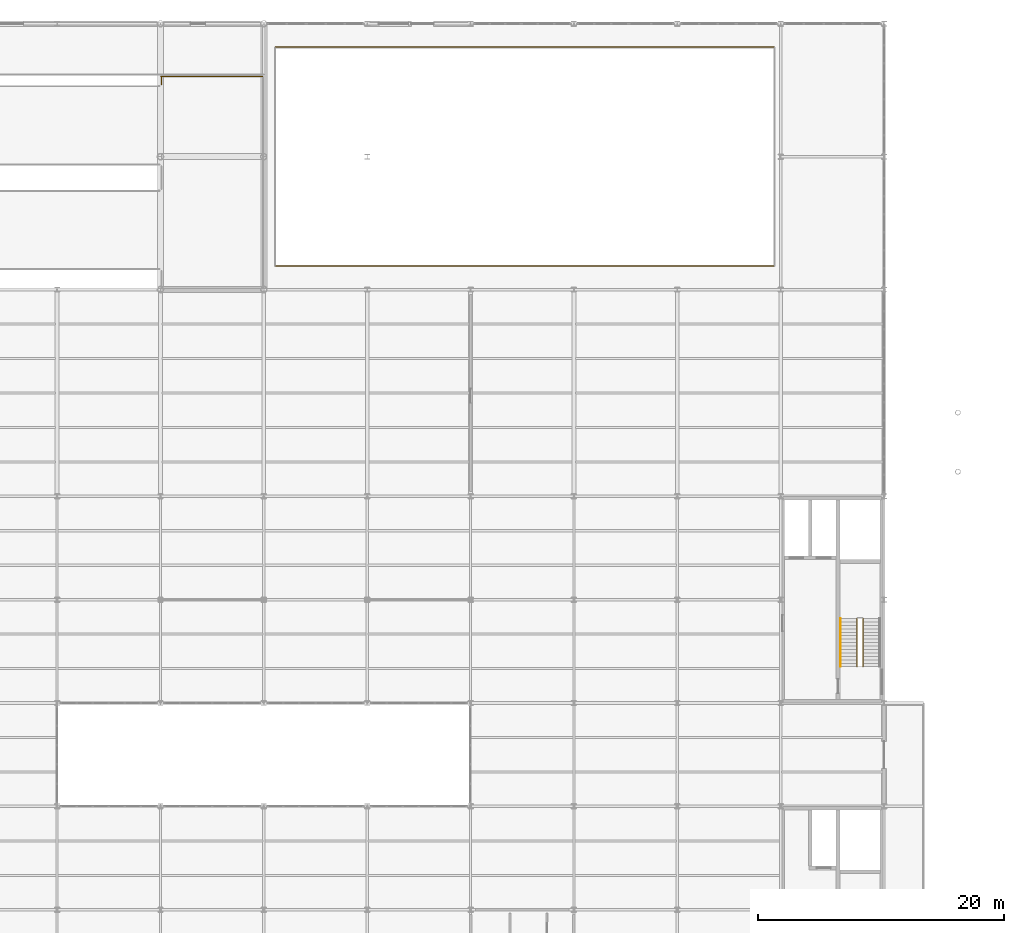
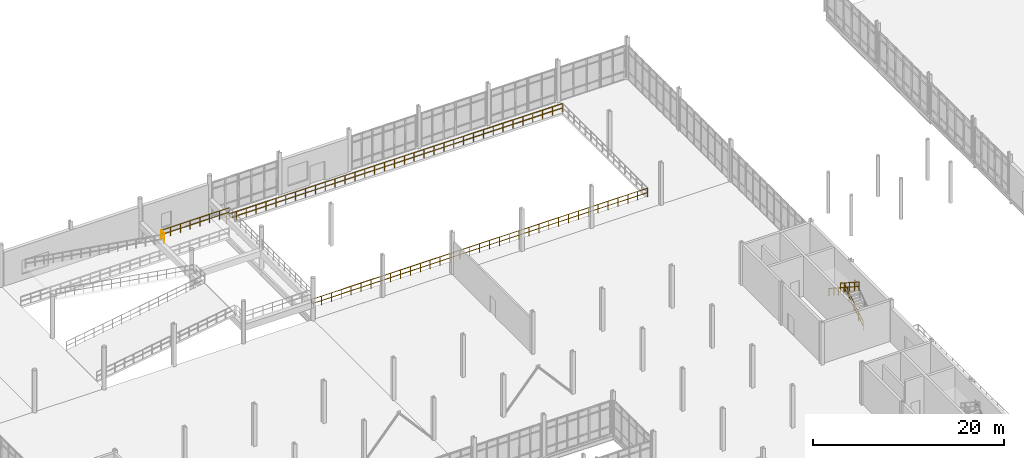
# One storey, part 109 of 111: 7 railings.
"""IFC4 building model written with IfcOpenShell, lengths in metres."""

from ifc_helpers import new_model, si_unit, direction, frame, origin, origin_2d, place, context, subcontext, project, spatial, circle, extrude, material, type_object, element, save


model = new_model("IFC4")

# Units and contexts
model_context = context("Model", 3, precision=1e-05, world=origin(), true_north=direction((0.0, 1.0)))
body_context = subcontext(model_context, "Body", "Model", "MODEL_VIEW")
ifc_project = project(units=[si_unit("LENGTHUNIT", "METRE"), si_unit("AREAUNIT", "SQUARE_METRE"), si_unit("VOLUMEUNIT", "CUBIC_METRE"), si_unit("PLANEANGLEUNIT", "RADIAN"), si_unit("MASSUNIT", "GRAM", prefix="KILO"), si_unit("THERMODYNAMICTEMPERATUREUNIT", "KELVIN"), si_unit("POWERUNIT", "WATT")], contexts=[model_context])

# Site, building, storey
site_placement = place(None, origin())
site = spatial("IfcSite", under=ifc_project, at=site_placement, CompositionType="ELEMENT")
building_placement = place(site_placement, origin())
building = spatial("IfcBuilding", under=site, at=building_placement, Name="Tembeka Court Mobility Hub", CompositionType="ELEMENT")
storey_placement = place(building_placement, origin())
storey = spatial("IfcBuildingStorey", under=building, at=storey_placement, Name="L00", CompositionType="ELEMENT", Elevation=0.0)

# Railings
ifc_material_1 = material(Name="Painted galvanised steel balustrade", Category="steel")
railing_type_1 = type_object("IfcRailingType", Name="RL-GR01", PredefinedType="GUARDRAIL", material=ifc_material_1)
railing_1_placement = place(storey_placement, frame((90.699951171875, 66.550048828125, 0.179931640625)))
element("IfcRailing", 1, at=railing_1_placement, inside=storey, type_object=railing_type_1, Name="L00 ST02 stair guard 1-1", PredefinedType="GUARDRAIL", context=body_context, shape_type="SweptSolid", body=[
    extrude(circle(Radius=0.02392578125, at=origin_2d()), frame((0.0, 0.0, 1.09619140625), z_axis=(0.0, 0.841171666519, 0.540768182723), x_axis=(-1.0, 0.0, 0.0)), (0.0, 0.0, 1.0), 4.66015625),
    extrude(circle(Radius=0.02392578125, at=origin_2d()), frame((0.0, 0.0, 0.5361328125), z_axis=(0.0, 0.841171666519, 0.540768182723), x_axis=(-1.0, 0.0, 0.0)), (0.0, 0.0, 1.0), 4.66015625),
    extrude(circle(Radius=0.02099609375, at=origin_2d()), origin(), (0.0, 0.0, 1.0), 1.072021484375),
    extrude(circle(Radius=0.02099609375, at=origin_2d()), frame((0.0, 0.97998046875, 0.6298828125)), (0.0, 0.0, 1.0), 1.072021484375),
    extrude(circle(Radius=0.02099609375, at=origin_2d()), frame((0.0, 1.9599609375, 1.260009765625)), (0.0, 0.0, 1.0), 1.072021484375),
    extrude(circle(Radius=0.02099609375, at=origin_2d()), frame((0.0, 2.93994140625, 1.89013671875)), (0.0, 0.0, 1.0), 1.072021484375),
    extrude(circle(Radius=0.02099609375, at=origin_2d()), frame((0.0, 3.919921875, 2.52001953125)), (0.0, 0.0, 1.0), 1.072021484375),
])
railing_2_placement = place(storey_placement, frame((90.199951171875, 70.469970703125, 2.8798828125)))
element("IfcRailing", 2, at=railing_2_placement, inside=storey, type_object=railing_type_1, Name="L00 ST02 stair guard 3-1", PredefinedType="GUARDRAIL", context=body_context, shape_type="SweptSolid", body=[
    extrude(circle(Radius=0.02392578125, at=origin_2d()), frame((0.0, 0.0, 1.09619140625), z_axis=(0.0, -0.841171666519, 0.540768182723), x_axis=(1.0, 0.0, 0.0)), (0.0, 0.0, 1.0), 4.66015625),
    extrude(circle(Radius=0.02392578125, at=origin_2d()), frame((0.0, 0.0, 0.5361328125), z_axis=(0.0, -0.841171666519, 0.540768182723), x_axis=(1.0, 0.0, 0.0)), (0.0, 0.0, 1.0), 4.66015625),
    extrude(circle(Radius=0.02099609375, at=origin_2d()), origin(), (0.0, 0.0, 1.0), 1.072021484375),
    extrude(circle(Radius=0.02099609375, at=origin_2d()), frame((0.0, -0.97998046875, 0.6298828125)), (0.0, 0.0, 1.0), 1.072021484375),
    extrude(circle(Radius=0.02099609375, at=origin_2d()), frame((0.0, -1.9599609375, 1.260009765625)), (0.0, 0.0, 1.0), 1.072021484375),
    extrude(circle(Radius=0.02099609375, at=origin_2d()), frame((0.0, -2.93994140625, 1.89013671875)), (0.0, 0.0, 1.0), 1.072021484375),
    extrude(circle(Radius=0.02099609375, at=origin_2d()), frame((0.0, -3.919921875, 2.52001953125)), (0.0, 0.0, 1.0), 1.072021484375),
])
railing_type_2 = type_object("IfcRailingType", Name="RL-GR02", PredefinedType="GUARDRAIL", material=ifc_material_1)
railing_3_placement = place(storey_placement, frame((42.929931640625, 99.10009765625, 0.0)))
element("IfcRailing", 3, at=railing_3_placement, inside=storey, type_object=railing_type_2, Name="Perimeter guard GR02-0013", PredefinedType="GUARDRAIL", context=body_context, shape_type="SweptSolid", body=[
    extrude(circle(Radius=0.02392578125, at=origin_2d()), frame((0.0, 0.0, 1.09619140625), z_axis=(1.0, 0.0, 0.0), x_axis=(0.0, 1.0, 0.0)), (0.0, 0.0, 1.0), 40.5400390625),
    extrude(circle(Radius=0.02392578125, at=origin_2d()), frame((0.0, 0.0, 0.5361328125), z_axis=(1.0, 0.0, 0.0), x_axis=(0.0, 1.0, 0.0)), (0.0, 0.0, 1.0), 40.5400390625),
    extrude(circle(Radius=0.02099609375, at=origin_2d()), origin(), (0.0, 0.0, 1.0), 1.072021484375),
    extrude(circle(Radius=0.02099609375, at=origin_2d()), frame((1.1923828125, 0.0, 0.0)), (0.0, 0.0, 1.0), 1.072021484375),
    extrude(circle(Radius=0.02099609375, at=origin_2d()), frame((2.384765625, 0.0, 0.0)), (0.0, 0.0, 1.0), 1.072021484375),
    extrude(circle(Radius=0.02099609375, at=origin_2d()), frame((3.5771484375, 0.0, 0.0)), (0.0, 0.0, 1.0), 1.072021484375),
    extrude(circle(Radius=0.02099609375, at=origin_2d()), frame((4.76953125, 0.0, 0.0)), (0.0, 0.0, 1.0), 1.072021484375),
    extrude(circle(Radius=0.02099609375, at=origin_2d()), frame((5.961669921875, 0.0, 0.0)), (0.0, 0.0, 1.0), 1.072021484375),
    extrude(circle(Radius=0.02099609375, at=origin_2d()), frame((7.154052734375, 0.0, 0.0)), (0.0, 0.0, 1.0), 1.072021484375),
    extrude(circle(Radius=0.02099609375, at=origin_2d()), frame((8.346435546875, 0.0, 0.0)), (0.0, 0.0, 1.0), 1.072021484375),
    extrude(circle(Radius=0.02099609375, at=origin_2d()), frame((9.538818359375, 0.0, 0.0)), (0.0, 0.0, 1.0), 1.072021484375),
    extrude(circle(Radius=0.02099609375, at=origin_2d()), frame((10.731201171875, 0.0, 0.0)), (0.0, 0.0, 1.0), 1.072021484375),
    extrude(circle(Radius=0.02099609375, at=origin_2d()), frame((11.923583984375, 0.0, 0.0)), (0.0, 0.0, 1.0), 1.072021484375),
    extrude(circle(Radius=0.02099609375, at=origin_2d()), frame((13.115966796875, 0.0, 0.0)), (0.0, 0.0, 1.0), 1.072021484375),
    extrude(circle(Radius=0.02099609375, at=origin_2d()), frame((14.308349609375, 0.0, 0.0)), (0.0, 0.0, 1.0), 1.072021484375),
    extrude(circle(Radius=0.02099609375, at=origin_2d()), frame((15.50048828125, 0.0, 0.0)), (0.0, 0.0, 1.0), 1.072021484375),
    extrude(circle(Radius=0.02099609375, at=origin_2d()), frame((16.69287109375, 0.0, 0.0)), (0.0, 0.0, 1.0), 1.072021484375),
    extrude(circle(Radius=0.02099609375, at=origin_2d()), frame((17.88525390625, 0.0, 0.0)), (0.0, 0.0, 1.0), 1.072021484375),
    extrude(circle(Radius=0.02099609375, at=origin_2d()), frame((19.07763671875, 0.0, 0.0)), (0.0, 0.0, 1.0), 1.072021484375),
    extrude(circle(Radius=0.02099609375, at=origin_2d()), frame((20.27001953125, 0.0, 0.0)), (0.0, 0.0, 1.0), 1.072021484375),
    extrude(circle(Radius=0.02099609375, at=origin_2d()), frame((21.46240234375, 0.0, 0.0)), (0.0, 0.0, 1.0), 1.072021484375),
    extrude(circle(Radius=0.02099609375, at=origin_2d()), frame((22.65478515625, 0.0, 0.0)), (0.0, 0.0, 1.0), 1.072021484375),
    extrude(circle(Radius=0.02099609375, at=origin_2d()), frame((23.84716796875, 0.0, 0.0)), (0.0, 0.0, 1.0), 1.072021484375),
    extrude(circle(Radius=0.02099609375, at=origin_2d()), frame((25.03955078125, 0.0, 0.0)), (0.0, 0.0, 1.0), 1.072021484375),
    extrude(circle(Radius=0.02099609375, at=origin_2d()), frame((26.231689453125, 0.0, 0.0)), (0.0, 0.0, 1.0), 1.072021484375),
    extrude(circle(Radius=0.02099609375, at=origin_2d()), frame((27.424072265625, 0.0, 0.0)), (0.0, 0.0, 1.0), 1.072021484375),
    extrude(circle(Radius=0.02099609375, at=origin_2d()), frame((28.616455078125, 0.0, 0.0)), (0.0, 0.0, 1.0), 1.072021484375),
    extrude(circle(Radius=0.02099609375, at=origin_2d()), frame((29.808837890625, 0.0, 0.0)), (0.0, 0.0, 1.0), 1.072021484375),
    extrude(circle(Radius=0.02099609375, at=origin_2d()), frame((31.001220703125, 0.0, 0.0)), (0.0, 0.0, 1.0), 1.072021484375),
    extrude(circle(Radius=0.02099609375, at=origin_2d()), frame((32.193603515625, 0.0, 0.0)), (0.0, 0.0, 1.0), 1.072021484375),
    extrude(circle(Radius=0.02099609375, at=origin_2d()), frame((33.385986328125, 0.0, 0.0)), (0.0, 0.0, 1.0), 1.072021484375),
    extrude(circle(Radius=0.02099609375, at=origin_2d()), frame((34.578369140625, 0.0, 0.0)), (0.0, 0.0, 1.0), 1.072021484375),
    extrude(circle(Radius=0.02099609375, at=origin_2d()), frame((35.7705078125, 0.0, 0.0)), (0.0, 0.0, 1.0), 1.072021484375),
    extrude(circle(Radius=0.02099609375, at=origin_2d()), frame((36.962890625, 0.0, 0.0)), (0.0, 0.0, 1.0), 1.072021484375),
    extrude(circle(Radius=0.02099609375, at=origin_2d()), frame((38.1552734375, 0.0, 0.0)), (0.0, 0.0, 1.0), 1.072021484375),
    extrude(circle(Radius=0.02099609375, at=origin_2d()), frame((39.34765625, 0.0, 0.0)), (0.0, 0.0, 1.0), 1.072021484375),
    extrude(circle(Radius=0.02099609375, at=origin_2d()), frame((40.5400390625, 0.0, 0.0)), (0.0, 0.0, 1.0), 1.072021484375),
])
railing_4_placement = place(storey_placement, frame((83.469970703125, 116.89990234375, 0.0)))
element("IfcRailing", 4, at=railing_4_placement, inside=storey, type_object=railing_type_2, Name="Perimeter guard GR02-0015", PredefinedType="GUARDRAIL", context=body_context, shape_type="SweptSolid", body=[
    extrude(circle(Radius=0.02392578125, at=origin_2d()), frame((0.0, 0.0, 1.09619140625), z_axis=(-1.0, 0.0, 0.0), x_axis=(0.0, -1.0, 0.0)), (0.0, 0.0, 1.0), 40.5400390625),
    extrude(circle(Radius=0.02392578125, at=origin_2d()), frame((0.0, 0.0, 0.5361328125), z_axis=(-1.0, 0.0, 0.0), x_axis=(0.0, -1.0, 0.0)), (0.0, 0.0, 1.0), 40.5400390625),
    extrude(circle(Radius=0.02099609375, at=origin_2d()), origin(), (0.0, 0.0, 1.0), 1.072021484375),
    extrude(circle(Radius=0.02099609375, at=origin_2d()), frame((-1.1923828125, 0.0, 0.0)), (0.0, 0.0, 1.0), 1.072021484375),
    extrude(circle(Radius=0.02099609375, at=origin_2d()), frame((-2.384765625, 0.0, 0.0)), (0.0, 0.0, 1.0), 1.072021484375),
    extrude(circle(Radius=0.02099609375, at=origin_2d()), frame((-3.5771484375, 0.0, 0.0)), (0.0, 0.0, 1.0), 1.072021484375),
    extrude(circle(Radius=0.02099609375, at=origin_2d()), frame((-4.76953125, 0.0, 0.0)), (0.0, 0.0, 1.0), 1.072021484375),
    extrude(circle(Radius=0.02099609375, at=origin_2d()), frame((-5.961669921875, 0.0, 0.0)), (0.0, 0.0, 1.0), 1.072021484375),
    extrude(circle(Radius=0.02099609375, at=origin_2d()), frame((-7.154052734375, 0.0, 0.0)), (0.0, 0.0, 1.0), 1.072021484375),
    extrude(circle(Radius=0.02099609375, at=origin_2d()), frame((-8.346435546875, 0.0, 0.0)), (0.0, 0.0, 1.0), 1.072021484375),
    extrude(circle(Radius=0.02099609375, at=origin_2d()), frame((-9.538818359375, 0.0, 0.0)), (0.0, 0.0, 1.0), 1.072021484375),
    extrude(circle(Radius=0.02099609375, at=origin_2d()), frame((-10.731201171875, 0.0, 0.0)), (0.0, 0.0, 1.0), 1.072021484375),
    extrude(circle(Radius=0.02099609375, at=origin_2d()), frame((-11.923583984375, 0.0, 0.0)), (0.0, 0.0, 1.0), 1.072021484375),
    extrude(circle(Radius=0.02099609375, at=origin_2d()), frame((-13.115966796875, 0.0, 0.0)), (0.0, 0.0, 1.0), 1.072021484375),
    extrude(circle(Radius=0.02099609375, at=origin_2d()), frame((-14.308349609375, 0.0, 0.0)), (0.0, 0.0, 1.0), 1.072021484375),
    extrude(circle(Radius=0.02099609375, at=origin_2d()), frame((-15.50048828125, 0.0, 0.0)), (0.0, 0.0, 1.0), 1.072021484375),
    extrude(circle(Radius=0.02099609375, at=origin_2d()), frame((-16.69287109375, 0.0, 0.0)), (0.0, 0.0, 1.0), 1.072021484375),
    extrude(circle(Radius=0.02099609375, at=origin_2d()), frame((-17.88525390625, 0.0, 0.0)), (0.0, 0.0, 1.0), 1.072021484375),
    extrude(circle(Radius=0.02099609375, at=origin_2d()), frame((-19.07763671875, 0.0, 0.0)), (0.0, 0.0, 1.0), 1.072021484375),
    extrude(circle(Radius=0.02099609375, at=origin_2d()), frame((-20.27001953125, 0.0, 0.0)), (0.0, 0.0, 1.0), 1.072021484375),
    extrude(circle(Radius=0.02099609375, at=origin_2d()), frame((-21.46240234375, 0.0, 0.0)), (0.0, 0.0, 1.0), 1.072021484375),
    extrude(circle(Radius=0.02099609375, at=origin_2d()), frame((-22.65478515625, 0.0, 0.0)), (0.0, 0.0, 1.0), 1.072021484375),
    extrude(circle(Radius=0.02099609375, at=origin_2d()), frame((-23.84716796875, 0.0, 0.0)), (0.0, 0.0, 1.0), 1.072021484375),
    extrude(circle(Radius=0.02099609375, at=origin_2d()), frame((-25.03955078125, 0.0, 0.0)), (0.0, 0.0, 1.0), 1.072021484375),
    extrude(circle(Radius=0.02099609375, at=origin_2d()), frame((-26.231689453125, 0.0, 0.0)), (0.0, 0.0, 1.0), 1.072021484375),
    extrude(circle(Radius=0.02099609375, at=origin_2d()), frame((-27.424072265625, 0.0, 0.0)), (0.0, 0.0, 1.0), 1.072021484375),
    extrude(circle(Radius=0.02099609375, at=origin_2d()), frame((-28.616455078125, 0.0, 0.0)), (0.0, 0.0, 1.0), 1.072021484375),
    extrude(circle(Radius=0.02099609375, at=origin_2d()), frame((-29.808837890625, 0.0, 0.0)), (0.0, 0.0, 1.0), 1.072021484375),
    extrude(circle(Radius=0.02099609375, at=origin_2d()), frame((-31.001220703125, 0.0, 0.0)), (0.0, 0.0, 1.0), 1.072021484375),
    extrude(circle(Radius=0.02099609375, at=origin_2d()), frame((-32.193603515625, 0.0, 0.0)), (0.0, 0.0, 1.0), 1.072021484375),
    extrude(circle(Radius=0.02099609375, at=origin_2d()), frame((-33.385986328125, 0.0, 0.0)), (0.0, 0.0, 1.0), 1.072021484375),
    extrude(circle(Radius=0.02099609375, at=origin_2d()), frame((-34.578369140625, 0.0, 0.0)), (0.0, 0.0, 1.0), 1.072021484375),
    extrude(circle(Radius=0.02099609375, at=origin_2d()), frame((-35.7705078125, 0.0, 0.0)), (0.0, 0.0, 1.0), 1.072021484375),
    extrude(circle(Radius=0.02099609375, at=origin_2d()), frame((-36.962890625, 0.0, 0.0)), (0.0, 0.0, 1.0), 1.072021484375),
    extrude(circle(Radius=0.02099609375, at=origin_2d()), frame((-38.1552734375, 0.0, 0.0)), (0.0, 0.0, 1.0), 1.072021484375),
    extrude(circle(Radius=0.02099609375, at=origin_2d()), frame((-39.34765625, 0.0, 0.0)), (0.0, 0.0, 1.0), 1.072021484375),
    extrude(circle(Radius=0.02099609375, at=origin_2d()), frame((-40.5400390625, 0.0, 0.0)), (0.0, 0.0, 1.0), 1.072021484375),
])
railing_5_placement = place(storey_placement, frame((41.889892578125, 114.52001953125, 2.699951171875)))
element("IfcRailing", 5, at=railing_5_placement, inside=storey, type_object=railing_type_2, Name="Perimeter guard GR02-0218", PredefinedType="GUARDRAIL", context=body_context, shape_type="SweptSolid", body=[
    extrude(circle(Radius=0.02392578125, at=origin_2d()), frame((0.0, 0.0, 1.09619140625), z_axis=(-1.0, 0.0, 0.0), x_axis=(0.0, -1.0, 0.0)), (0.0, 0.0, 1.0), 8.260009765625),
    extrude(circle(Radius=0.02392578125, at=origin_2d()), frame((0.0, 0.0, 0.5361328125), z_axis=(-1.0, 0.0, 0.0), x_axis=(0.0, -1.0, 0.0)), (0.0, 0.0, 1.0), 8.260009765625),
    extrude(circle(Radius=0.02099609375, at=origin_2d()), origin(), (0.0, 0.0, 1.0), 1.072021484375),
    extrude(circle(Radius=0.02099609375, at=origin_2d()), frame((-1.179931640625, 0.0, 0.0)), (0.0, 0.0, 1.0), 1.072021484375),
    extrude(circle(Radius=0.02099609375, at=origin_2d()), frame((-2.360107421875, 0.0, 0.0)), (0.0, 0.0, 1.0), 1.072021484375),
    extrude(circle(Radius=0.02099609375, at=origin_2d()), frame((-3.5400390625, 0.0, 0.0)), (0.0, 0.0, 1.0), 1.072021484375),
    extrude(circle(Radius=0.02099609375, at=origin_2d()), frame((-4.719970703125, 0.0, 0.0)), (0.0, 0.0, 1.0), 1.072021484375),
    extrude(circle(Radius=0.02099609375, at=origin_2d()), frame((-5.89990234375, 0.0, 0.0)), (0.0, 0.0, 1.0), 1.072021484375),
    extrude(circle(Radius=0.02099609375, at=origin_2d()), frame((-7.080078125, 0.0, 0.0)), (0.0, 0.0, 1.0), 1.072021484375),
    extrude(circle(Radius=0.02099609375, at=origin_2d()), frame((-8.260009765625, 0.0, 0.0)), (0.0, 0.0, 1.0), 1.072021484375),
])
railing_6_placement = place(storey_placement, frame((33.679931640625, 113.8798828125, 2.699951171875)))
element("IfcRailing", 6, at=railing_6_placement, inside=storey, type_object=railing_type_2, Name="Perimeter guard GR02-0221", PredefinedType="GUARDRAIL", context=body_context, shape_type="SweptSolid", body=[
    extrude(circle(Radius=0.02392578125, at=origin_2d()), frame((0.0, 0.0, 1.09619140625), z_axis=(0.0, 1.0, 0.0), x_axis=(-1.0, 0.0, 0.0)), (0.0, 0.0, 1.0), 0.610107421875),
    extrude(circle(Radius=0.02392578125, at=origin_2d()), frame((0.0, 0.0, 0.5361328125), z_axis=(0.0, 1.0, 0.0), x_axis=(-1.0, 0.0, 0.0)), (0.0, 0.0, 1.0), 0.610107421875),
    extrude(circle(Radius=0.02099609375, at=origin_2d()), origin(), (0.0, 0.0, 1.0), 1.072021484375),
    extrude(circle(Radius=0.02099609375, at=origin_2d()), frame((0.0, 0.610107421875, 0.0)), (0.0, 0.0, 1.0), 1.072021484375),
])
ifc_material_2 = material(Name="Brushed stainless steel handrail", Category="steel")
railing_type_3 = type_object("IfcRailingType", Name="RL-HR01", PredefinedType="HANDRAIL", material=ifc_material_2)
railing_7_placement = place(storey_placement, frame((88.85009765625, 70.469970703125, 2.8798828125)))
element("IfcRailing", 7, at=railing_7_placement, inside=storey, type_object=railing_type_3, Name="L00 ST02 handrail 2-1", PredefinedType="HANDRAIL", context=body_context, shape_type="SweptSolid", body=[
    extrude(circle(Radius=0.02392578125, at=origin_2d()), frame((0.0, 0.0, 0.89599609375), z_axis=(0.0, -0.841171666519, 0.540768182723), x_axis=(1.0, 0.0, 0.0)), (0.0, 0.0, 1.0), 4.66015625),
    extrude(circle(Radius=0.02099609375, at=origin_2d()), origin(), (0.0, 0.0, 1.0), 0.871826171875),
    extrude(circle(Radius=0.02099609375, at=origin_2d()), frame((0.0, -0.97998046875, 0.6298828125)), (0.0, 0.0, 1.0), 0.871826171875),
    extrude(circle(Radius=0.02099609375, at=origin_2d()), frame((0.0, -1.9599609375, 1.260009765625)), (0.0, 0.0, 1.0), 0.871826171875),
    extrude(circle(Radius=0.02099609375, at=origin_2d()), frame((0.0, -2.93994140625, 1.89013671875)), (0.0, 0.0, 1.0), 0.871826171875),
    extrude(circle(Radius=0.02099609375, at=origin_2d()), frame((0.0, -3.919921875, 2.52001953125)), (0.0, 0.0, 1.0), 0.871826171875),
])

save(model, "model.ifc")
